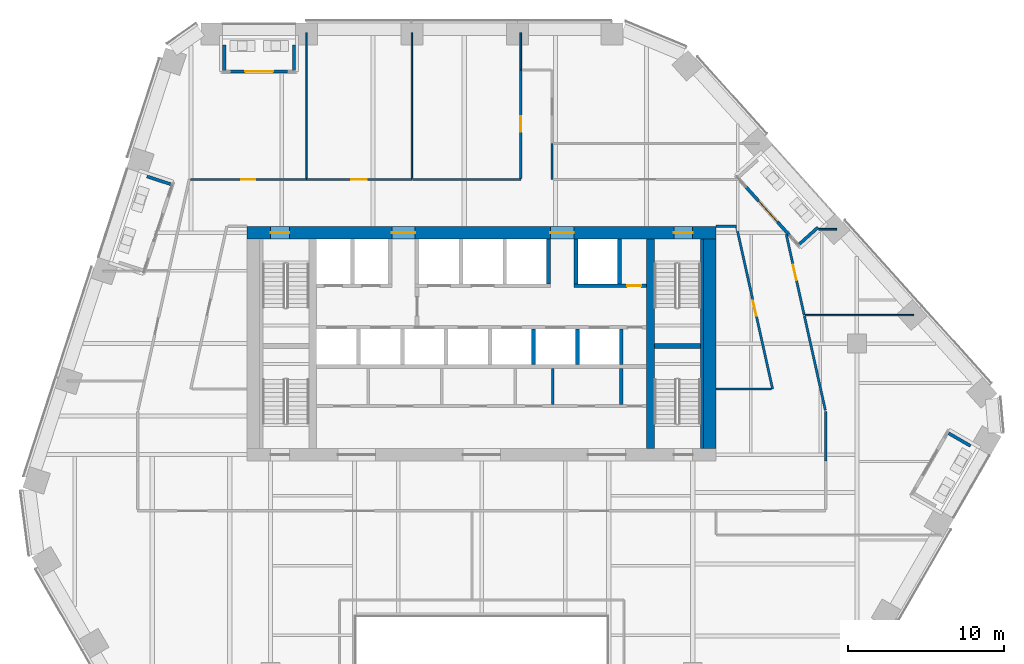
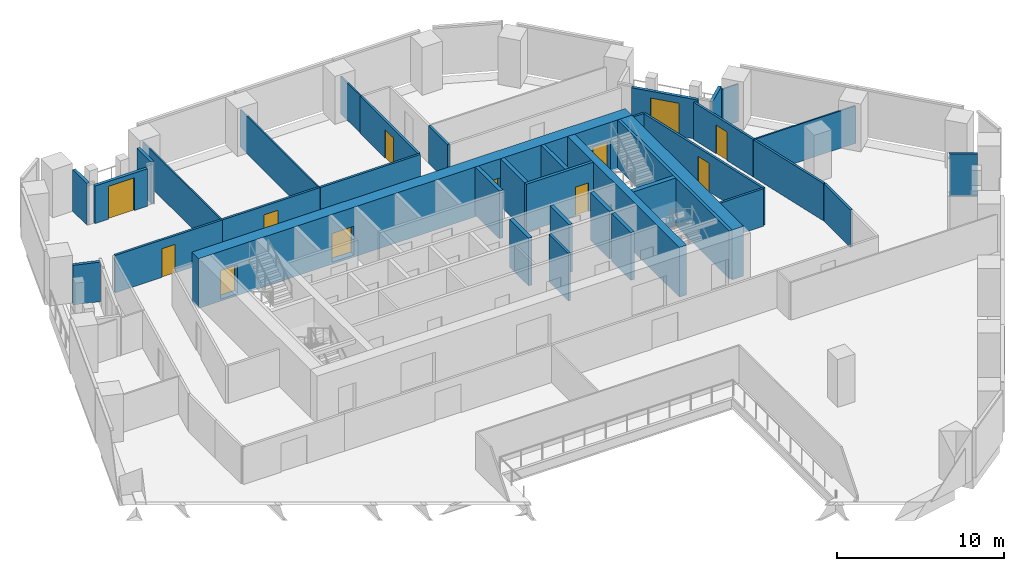
# One storey, part 21 of 26: 37 walls, 12 doors, 12 openings.
"""IFC4 building model written with IfcOpenShell, lengths in metres."""

from ifc_helpers import new_model, si_unit, direction, frame, frame_2d, origin, place, context, subcontext, project, spatial, rectangle, extrude, material, layer, layer_set, type_object, element, fill, save


model = new_model("IFC4")

# Units and contexts
model_context = context("Model", 3, precision=1e-05, world=origin(), true_north=direction((0.0, 1.0)))
body_context = subcontext(model_context, "Body", "Model", "MODEL_VIEW")
ifc_project = project(units=[si_unit("LENGTHUNIT", "METRE"), si_unit("AREAUNIT", "SQUARE_METRE"), si_unit("VOLUMEUNIT", "CUBIC_METRE"), si_unit("PLANEANGLEUNIT", "RADIAN"), si_unit("MASSUNIT", "GRAM", prefix="KILO")], contexts=[model_context])

# Site, building, storey
site_placement = place(None, origin())
site = spatial("IfcSite", under=ifc_project, at=site_placement, CompositionType="ELEMENT")
building_placement = place(site_placement, origin())
building = spatial("IfcBuilding", under=site, at=building_placement, Name="Isthmus Gate Tower", CompositionType="ELEMENT")
storey_placement = place(building_placement, frame((0.0, 0.0, 144.39990234375)))
storey = spatial("IfcBuildingStorey", under=building, at=storey_placement, Name="L35", CompositionType="ELEMENT", Elevation=144.39990234375)

# Walls
ifc_material_1 = material(Name="Gypsum board on steel studs, fire-rated", Category="steel")
ifc_layer_1 = layer(ifc_material_1, 0.14990234375)
ifc_layer_set_1 = layer_set([ifc_layer_1], Name="CORRIDOR WALL 150 60 MIN")
wall_type_1 = type_object("IfcWallType", Name="CORRIDOR WALL 150 60 MIN", PredefinedType="PARTITIONING", material=ifc_layer_set_1)
wall_1_placement = place(storey_placement, frame((4.5, 20.30810546875, 0.0), z_axis=(0.0, 0.0, 1.0), x_axis=(0.0, -1.0, 0.0)))
element("IfcWall", 1, at=wall_1_placement, inside=storey, type_object=wall_type_1, Name="L35 Corridor Wall 150 60 Min", PredefinedType="PARTITIONING", context=body_context, shape_type="SweptSolid", body=[
    extrude(rectangle(XDim=2.30810546875, YDim=0.14990234375, at=frame_2d((1.154052734375, 0.0))), origin(), (0.0, 0.0, 1.0), 2.7412109375),
])
wall_2_placement = place(storey_placement, frame((16.297119140625, 15.0, 0.0), z_axis=(0.0, 0.0, 1.0), x_axis=(-1.0, 0.0, 0.0)))
element("IfcWall", 2, at=wall_2_placement, inside=storey, type_object=wall_type_1, Name="L35 Corridor Wall 150 60 Min", PredefinedType="PARTITIONING", context=body_context, shape_type="SweptSolid", body=[
    extrude(rectangle(XDim=1.297119140625, YDim=0.14990234375, at=frame_2d((0.6484375, 0.0))), origin(), (0.0, 0.0, 1.0), 2.7412109375),
])

# Wall, opening, door
wall_3_placement = place(storey_placement, frame((18.60791015625, 4.60009765625, 0.0), z_axis=(0.0, 0.0, 1.0), x_axis=(-0.21691823958, 0.976189775268, 0.0)))
wall_3 = element("IfcWall", 3, at=wall_3_placement, inside=storey, type_object=wall_type_1, Name="L35 Corridor Wall 150 60 Min", PredefinedType="PARTITIONING", context=body_context, shape_type="SweptSolid", body=[
    extrude(rectangle(XDim=10.57861328125, YDim=0.14990234375, at=frame_2d((5.289306640625, 0.0))), origin(), (0.0, 0.0, 1.0), 2.7412109375),
])
opening_1_placement = place(wall_3_placement, frame((4.789306640625, 0.0, 0.0)))
opening_1 = element("IfcOpeningElement", 4, at=opening_1_placement, cuts=wall_3, Name="Opening DT-T3B-09", PredefinedType="OPENING", context=body_context, shape_type="SweptSolid", body=[
    extrude(rectangle(XDim=1.0, YDim=2.10009765625, at=frame_2d((0.5, 1.050048828125))), frame((0.0, 0.0849609375, 0.0), z_axis=(0.0, -1.0, 0.0), x_axis=(1.0, 0.0, 0.0)), (0.0, 0.0, 1.0), 0.169921875),
])
ifc_material_2 = material(Name="Solid core timber door leaf, fire-rated", Category="wood")
door_type_1 = type_object("IfcDoorType", Name="FIRE DOOR ROOM 1000 X 2100 60 MIN", OperationType="SINGLE_SWING_LEFT", PredefinedType="DOOR", material=ifc_material_2)
door_1_placement = place(opening_1_placement, origin())
door_1 = element("IfcDoor", 5, at=door_1_placement, inside=storey, type_object=door_type_1, Name="L35 room door", OperationType="SINGLE_SWING_RIGHT", OverallHeight=2.10009765625, OverallWidth=1.0, PredefinedType="DOOR", context=body_context, shape_type="SweptSolid", body=[
    extrude(rectangle(XDim=1.0, YDim=2.10009765625, at=frame_2d((0.5, 1.050048828125))), frame((0.0, 0.02490234375, 0.0), z_axis=(0.0, -1.0, 0.0), x_axis=(1.0, 0.0, 0.0)), (0.0, 0.0, 1.0), 0.050048828125),
])
fill(opening_1, door_1)

# Wall
wall_4_placement = place(storey_placement, frame((22.0, 3.1650390625, 0.0), z_axis=(0.0, 0.0, 1.0), x_axis=(0.0, -1.0, 0.0)))
element("IfcWall", 6, at=wall_4_placement, inside=storey, type_object=wall_type_1, Name="L35 Corridor Wall 150 60 Min", PredefinedType="PARTITIONING", context=body_context, shape_type="SweptSolid", body=[
    extrude(rectangle(XDim=3.1650390625, YDim=0.14990234375, at=frame_2d((1.58251953125, 0.0))), origin(), (0.0, 0.0, 1.0), 2.7412109375),
])

# Wall, opening, door
wall_5_placement = place(storey_placement, frame((-11.2119140625, 18.0, 0.0), z_axis=(0.0, 0.0, 1.0), x_axis=(1.0, 0.0, 0.0)))
wall_5 = element("IfcWall", 7, at=wall_5_placement, inside=storey, type_object=wall_type_1, Name="L35 Corridor Wall 150 60 Min", PredefinedType="PARTITIONING", context=body_context, shape_type="SweptSolid", body=[
    extrude(rectangle(XDim=6.75, YDim=0.14990234375, at=frame_2d((3.375, 0.0))), origin(), (0.0, 0.0, 1.0), 2.7412109375),
])
opening_2_placement = place(wall_5_placement, frame((2.875, 0.0, 0.0)))
opening_2 = element("IfcOpeningElement", 8, at=opening_2_placement, cuts=wall_5, Name="Opening DT-T3B-01", PredefinedType="OPENING", context=body_context, shape_type="SweptSolid", body=[
    extrude(rectangle(XDim=1.0, YDim=2.10009765625, at=frame_2d((0.5, 1.050048828125))), frame((0.0, 0.0849609375, 0.0), z_axis=(0.0, -1.0, 0.0), x_axis=(1.0, 0.0, 0.0)), (0.0, 0.0, 1.0), 0.169921875),
])
door_2_placement = place(opening_2_placement, origin())
door_2 = element("IfcDoor", 9, at=door_2_placement, inside=storey, type_object=door_type_1, Name="L35 room door", OperationType="SINGLE_SWING_RIGHT", OverallHeight=2.10009765625, OverallWidth=1.0, PredefinedType="DOOR", context=body_context, shape_type="SweptSolid", body=[
    extrude(rectangle(XDim=1.0, YDim=2.10009765625, at=frame_2d((0.5, 1.050048828125))), frame((0.0, 0.02490234375, 0.0), z_axis=(0.0, -1.0, 0.0), x_axis=(1.0, 0.0, 0.0)), (0.0, 0.0, 1.0), 0.050048828125),
])
fill(opening_2, door_2)

# Wall
wall_6_placement = place(storey_placement, frame((-4.412109375, 18.0, 0.0), z_axis=(0.0, 0.0, 1.0), x_axis=(1.0, 0.0, 0.0)))
element("IfcWall", 10, at=wall_6_placement, inside=storey, type_object=wall_type_1, Name="L35 Corridor Wall 150 60 Min", PredefinedType="PARTITIONING", context=body_context, shape_type="SweptSolid", body=[
    extrude(rectangle(XDim=6.912109375, YDim=0.14990234375, at=frame_2d((3.4560546875, 0.0))), origin(), (0.0, 0.0, 1.0), 2.7412109375),
])

# Wall, opening, door
wall_7_placement = place(storey_placement, frame((2.5, 18.074951171875, 0.0), z_axis=(0.0, 0.0, 1.0), x_axis=(0.0, 1.0, 0.0)))
wall_7 = element("IfcWall", 11, at=wall_7_placement, inside=storey, type_object=wall_type_1, Name="L35 Corridor Wall 150 60 Min", PredefinedType="PARTITIONING", context=body_context, shape_type="SweptSolid", body=[
    extrude(rectangle(XDim=6.925048828125, YDim=0.14990234375, at=frame_2d((3.46240234375, 0.0))), origin(), (0.0, 0.0, 1.0), 2.7412109375),
])
opening_3_placement = place(wall_7_placement, frame((2.96240234375, 0.0, 0.0)))
opening_3 = element("IfcOpeningElement", 12, at=opening_3_placement, cuts=wall_7, Name="Opening DT-T3B-02", PredefinedType="OPENING", context=body_context, shape_type="SweptSolid", body=[
    extrude(rectangle(XDim=1.0, YDim=2.10009765625, at=frame_2d((0.5, 1.050048828125))), frame((0.0, 0.0849609375, 0.0), z_axis=(0.0, -1.0, 0.0), x_axis=(1.0, 0.0, 0.0)), (0.0, 0.0, 1.0), 0.169921875),
])
door_3_placement = place(opening_3_placement, origin())
door_3 = element("IfcDoor", 13, at=door_3_placement, inside=storey, type_object=door_type_1, Name="L35 room door", OperationType="SINGLE_SWING_RIGHT", OverallHeight=2.10009765625, OverallWidth=1.0, PredefinedType="DOOR", context=body_context, shape_type="SweptSolid", body=[
    extrude(rectangle(XDim=1.0, YDim=2.10009765625, at=frame_2d((0.5, 1.050048828125))), frame((0.0, 0.02490234375, 0.0), z_axis=(0.0, -1.0, 0.0), x_axis=(1.0, 0.0, 0.0)), (0.0, 0.0, 1.0), 0.050048828125),
])
fill(opening_3, door_3)

wall_8_placement = place(storey_placement, frame((-18.6279296875, 18.0, 0.0), z_axis=(0.0, 0.0, 1.0), x_axis=(1.0, 0.0, 0.0)))
wall_8 = element("IfcWall", 14, at=wall_8_placement, inside=storey, type_object=wall_type_1, Name="L35 Corridor Wall 150 60 Min", PredefinedType="PARTITIONING", context=body_context, shape_type="SweptSolid", body=[
    extrude(rectangle(XDim=7.416015625, YDim=0.14990234375, at=frame_2d((3.7080078125, 0.0))), origin(), (0.0, 0.0, 1.0), 2.7412109375),
])
opening_4_placement = place(wall_8_placement, frame((3.258056640625, 0.0, 0.0)))
opening_4 = element("IfcOpeningElement", 15, at=opening_4_placement, cuts=wall_8, Name="Opening DT-T3B-04", PredefinedType="OPENING", context=body_context, shape_type="SweptSolid", body=[
    extrude(rectangle(XDim=0.89990234375, YDim=2.10009765625, at=frame_2d((0.449951171875, 1.050048828125))), frame((0.0, 0.0849609375, 0.0), z_axis=(0.0, -1.0, 0.0), x_axis=(1.0, 0.0, 0.0)), (0.0, 0.0, 1.0), 0.169921875),
])
ifc_material_3 = material(Name="Solid core timber door leaf, fire-rated", Category="wood")
door_type_2 = type_object("IfcDoorType", Name="FIRE DOOR ROOM 900 X 2100 60 MIN", OperationType="SINGLE_SWING_LEFT", PredefinedType="DOOR", material=ifc_material_3)
door_4_placement = place(opening_4_placement, origin())
door_4 = element("IfcDoor", 16, at=door_4_placement, inside=storey, type_object=door_type_2, Name="L35 room door", OperationType="SINGLE_SWING_RIGHT", OverallHeight=2.10009765625, OverallWidth=0.89990234375, PredefinedType="DOOR", context=body_context, shape_type="SweptSolid", body=[
    extrude(rectangle(XDim=0.89990234375, YDim=2.10009765625, at=frame_2d((0.449951171875, 1.050048828125))), frame((0.0, 0.02490234375, 0.0), z_axis=(0.0, -1.0, 0.0), x_axis=(1.0, 0.0, 0.0)), (0.0, 0.0, 1.0), 0.050048828125),
])
fill(opening_4, door_4)

wall_9_placement = place(storey_placement, frame((19.48388671875, 14.4873046875, 0.0), z_axis=(0.0, 0.0, 1.0), x_axis=(0.216857160719, -0.976203345541, 0.0)))
wall_9 = element("IfcWall", 17, at=wall_9_placement, inside=storey, type_object=wall_type_1, Name="L35 Corridor Wall 150 60 Min", PredefinedType="PARTITIONING", context=body_context, shape_type="SweptSolid", body=[
    extrude(rectangle(XDim=5.290283203125, YDim=0.14990234375, at=frame_2d((2.64501953125, 0.0))), origin(), (0.0, 0.0, 1.0), 2.7412109375),
])
opening_5_placement = place(wall_9_placement, frame((2.001708984375, 0.0, 0.0)))
opening_5 = element("IfcOpeningElement", 18, at=opening_5_placement, cuts=wall_9, Name="Opening DT-T3B-06", PredefinedType="OPENING", context=body_context, shape_type="SweptSolid", body=[
    extrude(rectangle(XDim=1.0, YDim=2.10009765625, at=frame_2d((0.5, 1.050048828125))), frame((0.0, 0.0849609375, 0.0), z_axis=(0.0, -1.0, 0.0), x_axis=(1.0, 0.0, 0.0)), (0.0, 0.0, 1.0), 0.169921875),
])
door_5_placement = place(opening_5_placement, origin())
door_5 = element("IfcDoor", 19, at=door_5_placement, inside=storey, type_object=door_type_1, Name="L35 room door", OperationType="SINGLE_SWING_RIGHT", OverallHeight=2.10009765625, OverallWidth=1.0, PredefinedType="DOOR", context=body_context, shape_type="SweptSolid", body=[
    extrude(rectangle(XDim=1.0, YDim=2.10009765625, at=frame_2d((0.5, 1.050048828125))), frame((0.0, 0.02490234375, 0.0), z_axis=(0.0, -1.0, 0.0), x_axis=(1.0, 0.0, 0.0)), (0.0, 0.0, 1.0), 0.050048828125),
])
fill(opening_5, door_5)

# Walls
wall_10_placement = place(storey_placement, frame((15.0, 4.60009765625, 0.0), z_axis=(0.0, 0.0, 1.0), x_axis=(1.0, 0.0, 0.0)))
element("IfcWall", 20, at=wall_10_placement, inside=storey, type_object=wall_type_1, Name="L35 Corridor Wall 150 60 Min", PredefinedType="PARTITIONING", context=body_context, shape_type="SweptSolid", body=[
    extrude(rectangle(XDim=3.532958984375, YDim=0.14990234375, at=frame_2d((1.7666015625, 0.0))), origin(), (0.0, 0.0, 1.0), 2.7412109375),
])
wall_11_placement = place(storey_placement, frame((20.641845703125, 9.274169921875, 0.0), z_axis=(0.0, 0.0, 1.0), x_axis=(0.217005709604, -0.976170334521, 0.0)))
element("IfcWall", 21, at=wall_11_placement, inside=storey, type_object=wall_type_1, Name="L35 Corridor Wall 150 60 Min", PredefinedType="PARTITIONING", context=body_context, shape_type="SweptSolid", body=[
    extrude(rectangle(XDim=6.183349609375, YDim=0.14990234375, at=frame_2d((3.091796875, 0.0))), origin(), (0.0, 0.0, 1.0), 2.7412109375),
])

# Wall, opening, door
ifc_material_4 = material(Name="Precast concrete C40/50", Category="concrete")
ifc_layer_2 = layer(ifc_material_4, 0.199951171875)
ifc_layer_set_2 = layer_set([ifc_layer_2], Name="LOGGIA WALL 200")
wall_type_2 = type_object("IfcWallType", Name="LOGGIA WALL 200", PredefinedType="SOLIDWALL", material=ifc_layer_set_2)
wall_12_placement = place(storey_placement, frame((-12.411865234375, 24.89990234375, 0.0), z_axis=(0.0, 0.0, 1.0), x_axis=(-1.0, 0.0, 0.0)))
wall_12 = element("IfcWall", 22, at=wall_12_placement, inside=storey, type_object=wall_type_2, Name="LOGGIA BACK WALL", PredefinedType="SOLIDWALL", context=body_context, shape_type="SweptSolid", body=[
    extrude(rectangle(XDim=3.650146484375, YDim=0.199951171875, at=frame_2d((1.8251953125, 0.0))), origin(), (0.0, 0.0, 1.0), 2.750732421875),
])
opening_6_placement = place(wall_12_placement, frame((0.925048828125, 0.0, 0.0)))
opening_6 = element("IfcOpeningElement", 23, at=opening_6_placement, cuts=wall_12, Name="Opening DE35-01", PredefinedType="OPENING", context=body_context, shape_type="SweptSolid", body=[
    extrude(rectangle(XDim=1.800048828125, YDim=2.39990234375, at=frame_2d((0.89990234375, 1.199951171875))), frame((0.0, 0.10986328125, 0.0), z_axis=(0.0, -1.0, 0.0), x_axis=(1.0, 0.0, 0.0)), (0.0, 0.0, 1.0), 0.219970703125),
])
ifc_material_5 = material(Name="Aluminium, pale champagne anodised, laminated glass", Category="aluminium")
door_type_3 = type_object("IfcDoorType", Name="LOGGIA DOOR SLIDING 1800 X 2400", OperationType="DOUBLE_DOOR_SLIDING", PredefinedType="DOOR", material=ifc_material_5)
door_6_placement = place(opening_6_placement, origin())
door_6 = element("IfcDoor", 24, at=door_6_placement, inside=storey, type_object=door_type_3, Name="DOOR DE35-01", OperationType="SINGLE_SWING_LEFT", OverallHeight=2.39990234375, OverallWidth=1.800048828125, PredefinedType="DOOR", context=body_context, shape_type="SweptSolid", body=[
    extrude(rectangle(XDim=1.800048828125, YDim=2.39990234375, at=frame_2d((0.89990234375, 1.199951171875))), frame((0.0, 0.02490234375, 0.0), z_axis=(0.0, -1.0, 0.0), x_axis=(1.0, 0.0, 0.0)), (0.0, 0.0, 1.0), 0.050048828125),
])
fill(opening_6, door_6)

# Walls
for number, where, z_axis, x_axis, name in (
    (25, (-12.01171875, 26.60009765625, 0.0), (0.0, 0.0, 1.0), (0.0, -1.0, 0.0), "LOGGIA SIDE WALL"),
    (26, (-16.4619140625, 26.60009765625, 0.0), (0.0, 0.0, 1.0), (0.0, -1.0, 0.0), "LOGGIA SIDE WALL"),
):
    element("IfcWall", number, at=place(storey_placement, frame(where, z_axis=z_axis, x_axis=x_axis)), inside=storey, type_object=wall_type_2, Name=name, PredefinedType="SOLIDWALL", context=body_context, shape_type="SweptSolid", body=[
        extrude(rectangle(XDim=1.68408203125, YDim=0.199951171875, at=frame_2d((0.842041015625, 0.0))), origin(), (0.0, 0.0, 1.0), 3.050048828125),
    ])
wall_13_placement = place(storey_placement, frame((-21.41455078125, 18.1923828125, 0.0), z_axis=(0.0, 0.0, 1.0), x_axis=(0.951076677115, -0.308954938862, 0.0)))
element("IfcWall", 27, at=wall_13_placement, inside=storey, type_object=wall_type_2, Name="LOGGIA SIDE WALL", PredefinedType="SOLIDWALL", context=body_context, shape_type="SweptSolid", body=[
    extrude(rectangle(XDim=1.683837890625, YDim=0.199951171875, at=frame_2d((0.841796875, 0.0))), origin(), (0.0, 0.0, 1.0), 2.89697265625),
])
wall_14_placement = place(storey_placement, frame((31.267333984375, 0.95654296875, 0.0), z_axis=(0.0, 0.0, 1.0), x_axis=(-0.866031085144, 0.499990159468, 0.0)))
element("IfcWall", 28, at=wall_14_placement, inside=storey, type_object=wall_type_2, Name="LOGGIA SIDE WALL", PredefinedType="SOLIDWALL", context=body_context, shape_type="SweptSolid", body=[
    extrude(rectangle(XDim=1.68408203125, YDim=0.199951171875, at=frame_2d((0.842041015625, 0.0))), origin(), (0.0, 0.0, 1.0), 3.050048828125),
])

# Wall, opening, door
wall_15_placement = place(storey_placement, frame((19.721435546875, 14.395263671875, 0.0), z_axis=(0.0, 0.0, 1.0), x_axis=(-0.669170241733, 0.743109135712, 0.0)))
wall_15 = element("IfcWall", 29, at=wall_15_placement, inside=storey, type_object=wall_type_2, Name="LOGGIA BACK WALL", PredefinedType="SOLIDWALL", context=body_context, shape_type="SweptSolid", body=[
    extrude(rectangle(XDim=4.199951171875, YDim=0.199951171875, at=frame_2d((2.10009765625, 0.0))), origin(), (0.0, 0.0, 1.0), 2.89697265625),
])
opening_7_placement = place(wall_15_placement, frame((1.199951171875, 0.0, 0.0)))
opening_7 = element("IfcOpeningElement", 30, at=opening_7_placement, cuts=wall_15, Name="Opening DE35-05", PredefinedType="OPENING", context=body_context, shape_type="SweptSolid", body=[
    extrude(rectangle(XDim=1.800048828125, YDim=2.39990234375, at=frame_2d((0.89990234375, 1.199951171875))), frame((0.0, 0.10986328125, 0.0), z_axis=(0.0, -1.0, 0.0), x_axis=(1.0, 0.0, 0.0)), (0.0, 0.0, 1.0), 0.219970703125),
])
door_7_placement = place(opening_7_placement, origin())
door_7 = element("IfcDoor", 31, at=door_7_placement, inside=storey, type_object=door_type_3, Name="DOOR DE35-05", OperationType="SINGLE_SWING_LEFT", OverallHeight=2.39990234375, OverallWidth=1.800048828125, PredefinedType="DOOR", context=body_context, shape_type="SweptSolid", body=[
    extrude(rectangle(XDim=1.800048828125, YDim=2.39990234375, at=frame_2d((0.89990234375, 1.199951171875))), frame((0.0, 0.02490234375, 0.0), z_axis=(0.0, -1.0, 0.0), x_axis=(1.0, 0.0, 0.0)), (0.0, 0.0, 1.0), 0.050048828125),
])
fill(opening_7, door_7)

# Walls
wall_16_placement = place(storey_placement, frame((21.516845703125, 14.941650390625, 0.0), z_axis=(0.0, 0.0, 1.0), x_axis=(-0.743178790238, -0.669092882745, 0.0)))
element("IfcWall", 32, at=wall_16_placement, inside=storey, type_object=wall_type_2, Name="LOGGIA SIDE WALL", PredefinedType="SOLIDWALL", context=body_context, shape_type="SweptSolid", body=[
    extrude(rectangle(XDim=1.683837890625, YDim=0.199951171875, at=frame_2d((0.841796875, 0.0))), origin(), (0.0, 0.0, 1.0), 2.89697265625),
])
ifc_material_6 = material(Name="Concrete f'c 60 MPa", Category="concrete")
ifc_layer_3 = layer(ifc_material_6, 0.5)
ifc_layer_set_3 = layer_set([ifc_layer_3], Name="RC CORE SPINE WALL 500 F'C 60")
wall_type_3 = type_object("IfcWallType", Name="RC CORE SPINE WALL 500 F'C 60", PredefinedType="SOLIDWALL", material=ifc_layer_set_3)
wall_17_placement = place(storey_placement, frame((10.800048828125, 0.800048828125, -0.14990234375), z_axis=(0.0, 0.0, 1.0), x_axis=(0.0, 1.0, 0.0)))
element("IfcWall", 33, at=wall_17_placement, inside=storey, type_object=wall_type_3, Name="str-corewall-L35-SPE", PredefinedType="SOLIDWALL", context=body_context, shape_type="SweptSolid", body=[
    extrude(rectangle(XDim=13.39990234375, YDim=0.5, at=frame_2d((6.699951171875, 0.0))), origin(), (0.0, 0.0, 1.0), 3.64990234375),
])

# Wall, openings, doors
ifc_material_7 = material(Name="Concrete f'c 60 MPa", Category="concrete")
ifc_layer_4 = layer(ifc_material_7, 0.800048828125)
ifc_layer_set_4 = layer_set([ifc_layer_4], Name="RC CORE WALL 800 F'C 60")
wall_type_4 = type_object("IfcWallType", Name="RC CORE WALL 800 F'C 60", PredefinedType="SOLIDWALL", material=ifc_layer_set_4)
wall_18_placement = place(storey_placement, frame((-15.0, 14.60009765625, -0.14990234375), z_axis=(0.0, 0.0, 1.0), x_axis=(1.0, 0.0, 0.0)))
wall_18 = element("IfcWall", 34, at=wall_18_placement, inside=storey, type_object=wall_type_4, Name="str-corewall-L35-N", PredefinedType="SOLIDWALL", context=body_context, shape_type="SweptSolid", body=[
    extrude(rectangle(XDim=30.0, YDim=0.800048828125, at=frame_2d((15.0, 0.0))), origin(), (0.0, 0.0, 1.0), 3.64990234375),
])
opening_8_placement = place(wall_18_placement, frame((9.25, 0.0, 0.14990234375)))
opening_8 = element("IfcOpeningElement", 35, at=opening_8_placement, cuts=wall_18, Name="Opening DC-A10-13", PredefinedType="OPENING", context=body_context, shape_type="SweptSolid", body=[
    extrude(rectangle(XDim=1.5, YDim=2.10009765625, at=frame_2d((0.75, 1.050048828125))), frame((0.0, 0.409912109375, 0.0), z_axis=(0.0, -1.0, 0.0), x_axis=(1.0, 0.0, 0.0)), (0.0, 0.0, 1.0), 0.820068359375),
])
opening_9_placement = place(wall_18_placement, frame((19.39990234375, 0.0, 0.14990234375)))
opening_9 = element("IfcOpeningElement", 36, at=opening_9_placement, cuts=wall_18, Name="Opening DC-A10-14", PredefinedType="OPENING", context=body_context, shape_type="SweptSolid", body=[
    extrude(rectangle(XDim=1.5, YDim=2.10009765625, at=frame_2d((0.75, 1.050048828125))), frame((0.0, 0.409912109375, 0.0), z_axis=(0.0, -1.0, 0.0), x_axis=(1.0, 0.0, 0.0)), (0.0, 0.0, 1.0), 0.820068359375),
])
opening_10_placement = place(wall_18_placement, frame((1.5, 0.0, 0.14990234375)))
opening_10 = element("IfcOpeningElement", 37, at=opening_10_placement, cuts=wall_18, Name="Opening DC-A10-15", PredefinedType="OPENING", context=body_context, shape_type="SweptSolid", body=[
    extrude(rectangle(XDim=1.199951171875, YDim=2.10009765625, at=frame_2d((0.60009765625, 1.050048828125))), frame((0.0, 0.409912109375, 0.0), z_axis=(0.0, -1.0, 0.0), x_axis=(1.0, 0.0, 0.0)), (0.0, 0.0, 1.0), 0.820068359375),
])
opening_11_placement = place(wall_18_placement, frame((27.300048828125, 0.0, 0.14990234375)))
opening_11 = element("IfcOpeningElement", 38, at=opening_11_placement, cuts=wall_18, Name="Opening DC-A10-16", PredefinedType="OPENING", context=body_context, shape_type="SweptSolid", body=[
    extrude(rectangle(XDim=1.199951171875, YDim=2.10009765625, at=frame_2d((0.60009765625, 1.050048828125))), frame((0.0, 0.409912109375, 0.0), z_axis=(0.0, -1.0, 0.0), x_axis=(1.0, 0.0, 0.0)), (0.0, 0.0, 1.0), 0.820068359375),
])
ifc_material_8 = material(Name="Steel door leaf, fire-rated", Category="steel")
door_type_4 = type_object("IfcDoorType", Name="LOBBY FIRE DOOR 1500 X 2100 60 MIN", OperationType="DOUBLE_DOOR_SINGLE_SWING", PredefinedType="DOOR", material=ifc_material_8)
door_8_placement = place(opening_9_placement, origin())
door_8 = element("IfcDoor", 39, at=door_8_placement, inside=storey, type_object=door_type_4, Name="Lobby Door PN-E", OperationType="DOUBLE_DOOR_SINGLE_SWING", OverallHeight=2.10009765625, OverallWidth=1.5, PredefinedType="DOOR", context=body_context, shape_type="SweptSolid", body=[
    extrude(rectangle(XDim=1.5, YDim=2.10009765625, at=frame_2d((0.75, 1.050048828125))), frame((0.0, 0.02490234375, 0.0), z_axis=(0.0, -1.0, 0.0), x_axis=(1.0, 0.0, 0.0)), (0.0, 0.0, 1.0), 0.050048828125),
])
fill(opening_9, door_8)
ifc_material_9 = material(Name="Steel door leaf, fire-rated", Category="steel")
door_type_5 = type_object("IfcDoorType", Name="LOBBY FIRE DOOR 1500 X 2100 90 MIN", OperationType="DOUBLE_DOOR_SINGLE_SWING", PredefinedType="DOOR", material=ifc_material_9)
door_9_placement = place(opening_8_placement, origin())
door_9 = element("IfcDoor", 40, at=door_9_placement, inside=storey, type_object=door_type_5, Name="Lobby Door PN-W", OperationType="DOUBLE_DOOR_SINGLE_SWING", OverallHeight=2.10009765625, OverallWidth=1.5, PredefinedType="DOOR", context=body_context, shape_type="SweptSolid", body=[
    extrude(rectangle(XDim=1.5, YDim=2.10009765625, at=frame_2d((0.75, 1.050048828125))), frame((0.0, 0.02490234375, 0.0), z_axis=(0.0, -1.0, 0.0), x_axis=(1.0, 0.0, 0.0)), (0.0, 0.0, 1.0), 0.050048828125),
])
fill(opening_8, door_9)
ifc_material_10 = material(Name="Steel door leaf, fire-rated", Category="steel")
door_type_6 = type_object("IfcDoorType", Name="STAIR FIRE DOOR 1200 X 2100 90 MIN", OperationType="SINGLE_SWING_LEFT", PredefinedType="DOOR", material=ifc_material_10)
door_10_placement = place(opening_10_placement, origin())
door_10 = element("IfcDoor", 41, at=door_10_placement, inside=storey, type_object=door_type_6, Name="Exit Stair 1 Door", OperationType="SINGLE_SWING_RIGHT", OverallHeight=2.10009765625, OverallWidth=1.199951171875, PredefinedType="DOOR", context=body_context, shape_type="SweptSolid", body=[
    extrude(rectangle(XDim=1.199951171875, YDim=2.10009765625, at=frame_2d((0.60009765625, 1.050048828125))), frame((0.0, 0.02490234375, 0.0), z_axis=(0.0, -1.0, 0.0), x_axis=(1.0, 0.0, 0.0)), (0.0, 0.0, 1.0), 0.050048828125),
])
fill(opening_10, door_10)
door_11_placement = place(opening_11_placement, origin())
door_11 = element("IfcDoor", 42, at=door_11_placement, inside=storey, type_object=door_type_6, Name="Exit Stair 2 Door", OperationType="SINGLE_SWING_LEFT", OverallHeight=2.10009765625, OverallWidth=1.199951171875, PredefinedType="DOOR", context=body_context, shape_type="SweptSolid", body=[
    extrude(rectangle(XDim=1.199951171875, YDim=2.10009765625, at=frame_2d((0.60009765625, 1.050048828125))), frame((0.0, 0.02490234375, 0.0), z_axis=(0.0, -1.0, 0.0), x_axis=(1.0, 0.0, 0.0)), (0.0, 0.0, 1.0), 0.050048828125),
])
fill(opening_11, door_11)

# Walls
wall_19_placement = place(storey_placement, frame((14.60009765625, 0.800048828125, -0.14990234375), z_axis=(0.0, 0.0, 1.0), x_axis=(0.0, 1.0, 0.0)))
element("IfcWall", 43, at=wall_19_placement, inside=storey, type_object=wall_type_4, Name="str-corewall-L35-E", PredefinedType="SOLIDWALL", context=body_context, shape_type="SweptSolid", body=[
    extrude(rectangle(XDim=13.39990234375, YDim=0.800048828125, at=frame_2d((6.699951171875, 0.0))), origin(), (0.0, 0.0, 1.0), 3.64990234375),
])
ifc_material_11 = material(Name="Gypsum board on steel studs, fire-rated", Category="steel")
ifc_layer_5 = layer(ifc_material_11, 0.10009765625)
ifc_layer_set_5 = layer_set([ifc_layer_5], Name="ROOM PARTITION 100 30 MIN")
wall_type_5 = type_object("IfcWallType", Name="ROOM PARTITION 100 30 MIN", PredefinedType="PARTITIONING", material=ifc_layer_set_5)
wall_20_placement = place(storey_placement, frame((-4.4619140625, 18.074951171875, 0.0), z_axis=(0.0, 0.0, 1.0), x_axis=(0.0, 1.0, 0.0)))
element("IfcWall", 44, at=wall_20_placement, inside=storey, type_object=wall_type_5, Name="L35 Room Partition 100 30 Min", PredefinedType="PARTITIONING", context=body_context, shape_type="SweptSolid", body=[
    extrude(rectangle(XDim=9.324951171875, YDim=0.10009765625, at=frame_2d((4.66259765625, 0.0))), origin(), (0.0, 0.0, 1.0), 2.7412109375),
])
wall_21_placement = place(storey_placement, frame((2.5, 25.0, 0.0), z_axis=(0.0, 0.0, 1.0), x_axis=(0.0, 1.0, 0.0)))
element("IfcWall", 45, at=wall_21_placement, inside=storey, type_object=wall_type_5, Name="L35 Room Partition 100 30 Min", PredefinedType="PARTITIONING", context=body_context, shape_type="SweptSolid", body=[
    extrude(rectangle(XDim=2.39990234375, YDim=0.10009765625, at=frame_2d((1.199951171875, 0.0))), origin(), (0.0, 0.0, 1.0), 2.7412109375),
])
wall_22_placement = place(storey_placement, frame((-11.2119140625, 18.074951171875, 0.0), z_axis=(0.0, 0.0, 1.0), x_axis=(0.0, 1.0, 0.0)))
element("IfcWall", 46, at=wall_22_placement, inside=storey, type_object=wall_type_5, Name="L35 Room Partition 100 30 Min", PredefinedType="PARTITIONING", context=body_context, shape_type="SweptSolid", body=[
    extrude(rectangle(XDim=9.324951171875, YDim=0.10009765625, at=frame_2d((4.66259765625, 0.0))), origin(), (0.0, 0.0, 1.0), 2.7412109375),
])
wall_23_placement = place(storey_placement, frame((21.556884765625, 14.81591796875, 0.0), z_axis=(0.0, 0.0, 1.0), x_axis=(1.0, 0.0, 0.0)))
element("IfcWall", 47, at=wall_23_placement, inside=storey, type_object=wall_type_5, Name="L35 Room Partition 100 30 Min", PredefinedType="PARTITIONING", context=body_context, shape_type="SweptSolid", body=[
    extrude(rectangle(XDim=1.150146484375, YDim=0.10009765625, at=frame_2d((0.5751953125, 0.0))), origin(), (0.0, 0.0, 1.0), 2.7412109375),
])
wall_24_placement = place(storey_placement, frame((20.7060546875, 9.322998046875, 0.0), z_axis=(0.0, 0.0, 1.0), x_axis=(1.0, 0.0, 0.0)))
element("IfcWall", 48, at=wall_24_placement, inside=storey, type_object=wall_type_5, Name="L35 Room Partition 100 30 Min", PredefinedType="PARTITIONING", context=body_context, shape_type="SweptSolid", body=[
    extrude(rectangle(XDim=6.946044921875, YDim=0.10009765625, at=frame_2d((3.47314453125, 0.0))), origin(), (0.0, 0.0, 1.0), 2.7412109375),
])
ifc_material_12 = material(Name="Gypsum board on steel studs, fire-rated", Category="steel")
ifc_layer_6 = layer(ifc_material_12, 0.14990234375)
ifc_layer_set_6 = layer_set([ifc_layer_6], Name="ROOM PARTITION 150 60 MIN")
wall_type_6 = type_object("IfcWallType", Name="ROOM PARTITION 150 60 MIN", PredefinedType="PARTITIONING", material=ifc_layer_set_6)
wall_25_placement = place(storey_placement, frame((4.550048828125, 3.60009765625, 0.0), z_axis=(0.0, 0.0, 1.0), x_axis=(0.0, 1.0, 0.0)))
element("IfcWall", 49, at=wall_25_placement, inside=storey, type_object=wall_type_6, Name="L35 ROOM PARTITION 150 60 MIN", PredefinedType="PARTITIONING", context=body_context, shape_type="SweptSolid", body=[
    extrude(rectangle(XDim=2.2998046875, YDim=0.14990234375, at=frame_2d((1.14990234375, 0.0))), origin(), (0.0, 0.0, 1.0), 3.5),
])

# Wall, opening, door
ifc_material_13 = material(Name="Fire-rated blockwork masonry, 15 MPa", Category="masonry")
ifc_layer_7 = layer(ifc_material_13, 0.199951171875)
ifc_layer_set_7 = layer_set([ifc_layer_7], Name="SHAFT FRONT WALL 200 120 MIN")
wall_type_7 = type_object("IfcWallType", Name="SHAFT FRONT WALL 200 120 MIN", PredefinedType="PARTITIONING", material=ifc_layer_set_7)
wall_26_placement = place(storey_placement, frame((5.89990234375, 11.199951171875, 0.0), z_axis=(0.0, 0.0, 1.0), x_axis=(1.0, 0.0, 0.0)))
wall_26 = element("IfcWall", 50, at=wall_26_placement, inside=storey, type_object=wall_type_7, Name="L35 SHAFT FRONT WALL 200 120 MIN", PredefinedType="PARTITIONING", context=body_context, shape_type="SweptSolid", body=[
    extrude(rectangle(XDim=4.650146484375, YDim=0.199951171875, at=frame_2d((2.3251953125, 0.0))), origin(), (0.0, 0.0, 1.0), 3.5),
])
opening_12_placement = place(wall_26_placement, frame((3.39990234375, 0.0, 0.0)))
opening_12 = element("IfcOpeningElement", 51, at=opening_12_placement, cuts=wall_26, Name="Opening DC-A10-09", PredefinedType="OPENING", context=body_context, shape_type="SweptSolid", body=[
    extrude(rectangle(XDim=0.89990234375, YDim=2.10009765625, at=frame_2d((0.449951171875, 1.050048828125))), frame((0.0, 0.10986328125, 0.0), z_axis=(0.0, -1.0, 0.0), x_axis=(1.0, 0.0, 0.0)), (0.0, 0.0, 1.0), 0.219970703125),
])
ifc_material_14 = material(Name="Steel door leaf, fire-rated", Category="steel")
door_type_7 = type_object("IfcDoorType", Name="RISER FIRE DOOR 900 X 2100 90 MIN", OperationType="SINGLE_SWING_LEFT", PredefinedType="DOOR", material=ifc_material_14)
door_12_placement = place(opening_12_placement, origin())
door_12 = element("IfcDoor", 52, at=door_12_placement, inside=storey, type_object=door_type_7, Name="Riser Door", OperationType="SINGLE_SWING_LEFT", OverallHeight=2.10009765625, OverallWidth=0.89990234375, PredefinedType="DOOR", context=body_context, shape_type="SweptSolid", body=[
    extrude(rectangle(XDim=0.89990234375, YDim=2.10009765625, at=frame_2d((0.449951171875, 1.050048828125))), frame((0.0, 0.02490234375, 0.0), z_axis=(0.0, -1.0, 0.0), x_axis=(1.0, 0.0, 0.0)), (0.0, 0.0, 1.0), 0.050048828125),
])
fill(opening_12, door_12)

# Walls
ifc_material_15 = material(Name="Fire-rated blockwork masonry, 15 MPa", Category="masonry")
ifc_layer_8 = layer(ifc_material_15, 0.25)
ifc_layer_set_8 = layer_set([ifc_layer_8], Name="SHAFT WALL 250 120 MIN")
wall_type_8 = type_object("IfcWallType", Name="SHAFT WALL 250 120 MIN", PredefinedType="PARTITIONING", material=ifc_layer_set_8)
wall_27_placement = place(storey_placement, frame((8.925048828125, 3.60009765625, 0.0), z_axis=(0.0, 0.0, 1.0), x_axis=(0.0, 1.0, 0.0)))
element("IfcWall", 53, at=wall_27_placement, inside=storey, type_object=wall_type_8, Name="L35 SHAFT WALL 250 120 MIN", PredefinedType="PARTITIONING", context=body_context, shape_type="SweptSolid", body=[
    extrude(rectangle(XDim=2.2998046875, YDim=0.25, at=frame_2d((1.14990234375, 0.0))), origin(), (0.0, 0.0, 1.0), 3.5),
])
for number, where, z_axis, x_axis, name in (
    (54, (3.324951171875, 6.14990234375, 0.0), (0.0, 0.0, 1.0), (0.0, 1.0, 0.0), "L35 SHAFT WALL 250 120 MIN"),
    (55, (6.125, 6.14990234375, 0.0), (0.0, 0.0, 1.0), (0.0, 1.0, 0.0), "L35 SHAFT WALL 250 120 MIN"),
    (56, (8.925048828125, 6.14990234375, 0.0), (0.0, 0.0, 1.0), (0.0, 1.0, 0.0), "L35 SHAFT WALL 250 120 MIN"),
):
    element("IfcWall", number, at=place(storey_placement, frame(where, z_axis=z_axis, x_axis=x_axis)), inside=storey, type_object=wall_type_8, Name=name, PredefinedType="PARTITIONING", context=body_context, shape_type="SweptSolid", body=[
        extrude(rectangle(XDim=2.300048828125, YDim=0.25, at=frame_2d((1.14990234375, 0.0))), origin(), (0.0, 0.0, 1.0), 3.5),
    ])
for number, where, z_axis, x_axis, name in (
    (57, (4.27490234375, 11.300048828125, 0.0), (0.0, 0.0, 1.0), (0.0, 1.0, 0.0), "L35 SHAFT WALL 250 120 MIN"),
    (58, (6.02490234375, 11.300048828125, 0.0), (0.0, 0.0, 1.0), (0.0, 1.0, 0.0), "L35 SHAFT WALL 250 120 MIN"),
    (59, (8.824951171875, 11.300048828125, 0.0), (0.0, 0.0, 1.0), (0.0, 1.0, 0.0), "L35 SHAFT WALL 250 120 MIN"),
):
    element("IfcWall", number, at=place(storey_placement, frame(where, z_axis=z_axis, x_axis=x_axis)), inside=storey, type_object=wall_type_8, Name=name, PredefinedType="PARTITIONING", context=body_context, shape_type="SweptSolid", body=[
        extrude(rectangle(XDim=2.89990234375, YDim=0.25, at=frame_2d((1.449951171875, 0.0))), origin(), (0.0, 0.0, 1.0), 3.5),
    ])
ifc_material_16 = material(Name="Concrete f'c 40 MPa", Category="concrete")
ifc_layer_9 = layer(ifc_material_16, 0.199951171875)
ifc_layer_set_9 = layer_set([ifc_layer_9], Name="STAIR ENCLOSURE WALL 200 180 MIN")
wall_type_9 = type_object("IfcWallType", Name="STAIR ENCLOSURE WALL 200 180 MIN", PredefinedType="SOLIDWALL", material=ifc_layer_set_9)
wall_28_placement = place(storey_placement, frame((14.10009765625, 0.800048828125, 0.0), z_axis=(0.0, 0.0, 1.0), x_axis=(0.0, 1.0, 0.0)))
element("IfcWall", 60, at=wall_28_placement, inside=storey, type_object=wall_type_9, Name="L35 STAIR ENCLOSURE WALL 200 180 MIN", PredefinedType="SOLIDWALL", context=body_context, shape_type="SweptSolid", body=[
    extrude(rectangle(XDim=13.39990234375, YDim=0.199951171875, at=frame_2d((6.699951171875, 0.0))), origin(), (0.0, 0.0, 1.0), 3.5),
])
ifc_material_17 = material(Name="Concrete f'c 40 MPa", Category="concrete")
ifc_layer_10 = layer(ifc_material_17, 0.300048828125)
ifc_layer_set_10 = layer_set([ifc_layer_10], Name="STAIR ENCLOSURE WALL 300 180 MIN")
wall_type_10 = type_object("IfcWallType", Name="STAIR ENCLOSURE WALL 300 180 MIN", PredefinedType="SOLIDWALL", material=ifc_layer_set_10)
wall_29_placement = place(storey_placement, frame((11.050048828125, 7.35009765625, 0.0), z_axis=(0.0, 0.0, 1.0), x_axis=(1.0, 0.0, 0.0)))
element("IfcWall", 61, at=wall_29_placement, inside=storey, type_object=wall_type_10, Name="L35 STAIR ENCLOSURE WALL 300 180 MIN", PredefinedType="SOLIDWALL", context=body_context, shape_type="SweptSolid", body=[
    extrude(rectangle(XDim=2.949951171875, YDim=0.300048828125, at=frame_2d((1.47509765625, 0.0))), origin(), (0.0, 0.0, 1.0), 3.5),
])

save(model, "model.ifc")
